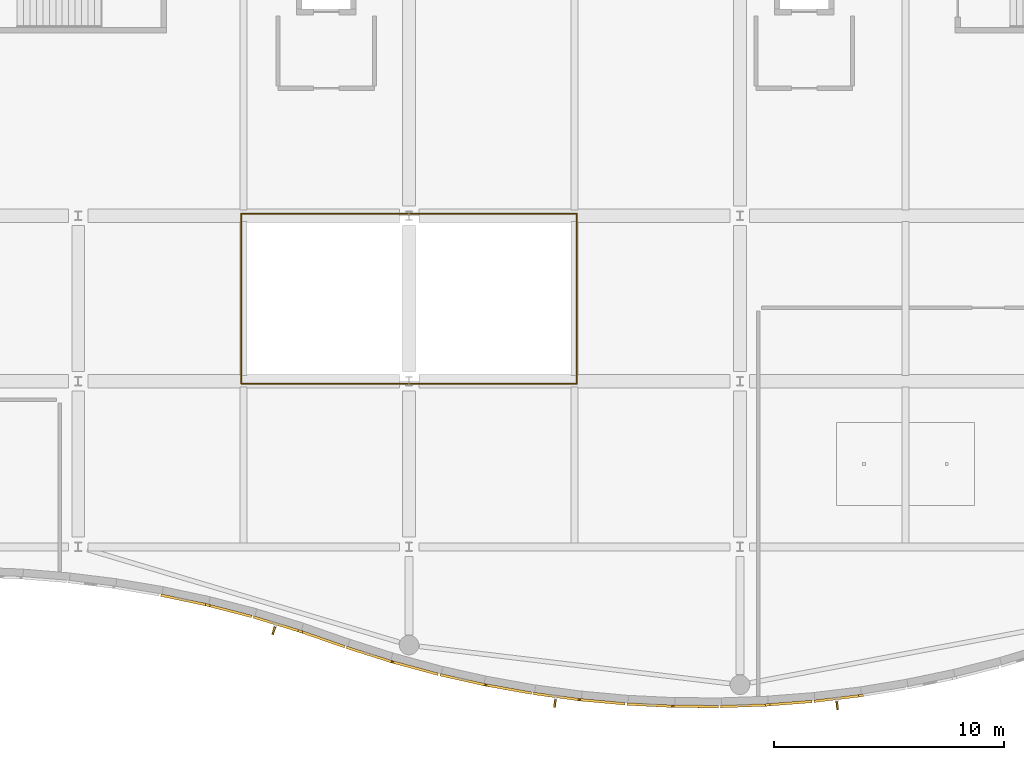
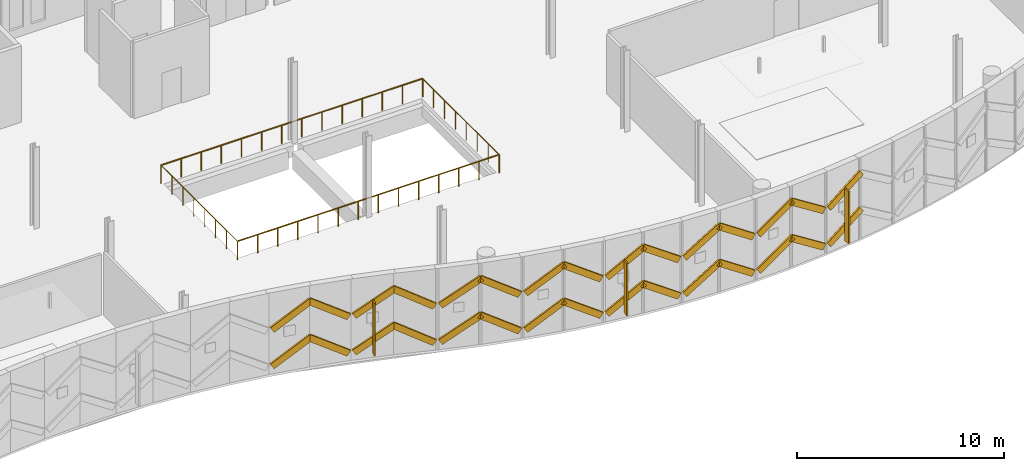
# One storey, part 195 of 220: 30 coverings, 4 railings, 3 shading devices.
"""IFC4 building model written with IfcOpenShell, lengths in metres."""

from ifc_helpers import new_model, si_unit, direction, frame, origin, origin_2d, place, context, subcontext, project, spatial, polyline, rectangle, circle, outline, extrude, material, layer, layer_set, type_object, element, save


model = new_model("IFC4")

# Units and contexts
model_context = context("Model", 3, precision=1e-05, world=origin(), true_north=direction((0.0, 1.0)))
body_context = subcontext(model_context, "Body", "Model", "MODEL_VIEW")
ifc_project = project(units=[si_unit("LENGTHUNIT", "METRE"), si_unit("AREAUNIT", "SQUARE_METRE"), si_unit("VOLUMEUNIT", "CUBIC_METRE"), si_unit("PLANEANGLEUNIT", "RADIAN"), si_unit("MASSUNIT", "GRAM", prefix="KILO")], contexts=[model_context])

# Site, building, storey
site_placement = place(None, origin())
site = spatial("IfcSite", under=ifc_project, at=site_placement, CompositionType="ELEMENT")
building_placement = place(site_placement, origin())
building = spatial("IfcBuilding", under=site, at=building_placement, Name="Cendralis Lancet Convention Centre", CompositionType="ELEMENT")
storey_placement = place(building_placement, frame((0.0, 0.0, 5.39990234375)))
storey = spatial("IfcBuildingStorey", under=building, at=storey_placement, Name="L01", CompositionType="ELEMENT", Elevation=5.39990234375)

# Coverings
ifc_material_1 = material(Name="Warm buff sandstone chevron cassette", Category="masonry")
ifc_layer_1 = layer(ifc_material_1, 0.06005859375, Name="Warm buff sandstone chevron cassette")
ifc_layer_set_1 = layer_set([ifc_layer_1], Name="Warm buff sandstone chevron cassette")
covering_type_1 = type_object("IfcCoveringType", Name="ARC-CV-CLAD1", PredefinedType="CLADDING", material=ifc_layer_set_1)
covering_1_placement = place(storey_placement, frame((32.38818359375, 5.04248046875, 0.650146484375), z_axis=(-0.535020732158, 0.113434100809, 0.837189059254), x_axis=(0.818930256898, -0.173892999751, 0.546913575416)))
element("IfcCovering", 1, at=covering_1_placement, inside=storey, type_object=covering_type_1, Name="L01 Diagonal Stone Chevron Relief CL-ST1 #0097", PredefinedType="CLADDING", context=body_context, shape_type="SweptSolid", body=[
    extrude(outline(polyline([(0.0, 0.0), (2.3769644960736502, 1.3002294553532412e-16), (2.3770359392519813, 0.11008464103704459), (-0.0001284909664191619, 0.1100339525686559), (0.0, 0.0)])), origin(), (0.0, 0.0, -1.0), 0.360107421875),
])
covering_2_placement = place(storey_placement, frame((34.401611328125, 4.61328125, 1.9501953125), z_axis=(0.525708737649, -0.135336917587, 0.839829888667), x_axis=(0.813251866654, -0.209608349465, -0.542849648814)))
element("IfcCovering", 2, at=covering_2_placement, inside=storey, type_object=covering_type_1, Name="L01 Diagonal Stone Chevron Relief CL-ST1 #0103", PredefinedType="CLADDING", context=body_context, shape_type="SweptSolid", body=[
    extrude(outline(polyline([(0.0, 0.0), (2.394760568051212, -1.2468324983583301e-17), (2.3948334714241444, 0.1101985557260967), (-0.00012564444607509814, 0.11013764191872884), (0.0, 0.0)])), origin(), (0.0, 0.0, -1.0), 0.360107421875),
])
covering_3_placement = place(storey_placement, frame((36.414794921875, 4.093017578125, 0.650146484375), z_axis=(-0.514317451293, 0.157700124438, 0.842975818186), x_axis=(0.806255903693, -0.246089379247, 0.53795114572)))
element("IfcCovering", 3, at=covering_3_placement, inside=storey, type_object=covering_type_1, Name="L01 Diagonal Stone Chevron Relief CL-ST1 #0109", PredefinedType="CLADDING", context=body_context, shape_type="SweptSolid", body=[
    extrude(outline(polyline([(0.0, 0.0), (2.416697252485655, 7.752045533271357e-17), (2.4167854499543617, 0.11004890548893434), (0.00014827788356162538, 0.10981542602304782), (0.0, 0.0)])), origin(), (0.0, 0.0, -1.0), 0.360107421875),
])
covering_4_placement = place(storey_placement, frame((38.4296875, 3.4765625, 1.9501953125), z_axis=(0.503224682855, -0.175034672297, 0.846243335016), x_axis=(0.799360481452, -0.277760008608, -0.532796582488)))
element("IfcCovering", 4, at=covering_4_placement, inside=storey, type_object=covering_type_1, Name="L01 Diagonal Stone Chevron Relief CL-ST1 #0115", PredefinedType="CLADDING", context=body_context, shape_type="SweptSolid", body=[
    extrude(outline(polyline([(0.0, 0.0), (2.4400132988194647, 7.451179430406629e-17), (2.440076127822473, 0.10987112768012615), (-4.9834990936172e-06, 0.11010173555877661), (0.0, 0.0)])), origin(), (0.0, 0.0, -1.0), 0.360107421875),
])
covering_5_placement = place(storey_placement, frame((40.462890625, 2.771240234375, 0.650146484375), z_axis=(-0.511337774202, 0.162508978297, 0.843874701983), x_axis=(0.804316544098, -0.255341790384, 0.536540275257)))
element("IfcCovering", 5, at=covering_5_placement, inside=storey, type_object=covering_type_1, Name="L01 Diagonal Stone Chevron Relief CL-ST1 #0121", PredefinedType="CLADDING", context=body_context, shape_type="SweptSolid", body=[
    extrude(outline(polyline([(0.0, 0.0), (2.4228925091726596, -6.483528991463317e-17), (2.423051136728038, 0.10994719677205798), (-0.00010007809268892942, 0.11010599232988509), (0.0, 0.0)])), origin(), (0.0, 0.0, -1.0), 0.360107421875),
])
covering_6_placement = place(storey_placement, frame((42.49951171875, 2.126708984375, 1.9501953125), z_axis=(0.522763146144, -0.141807014356, 0.840600656503), x_axis=(0.811516389354, -0.219205041246, -0.541655148321)))
element("IfcCovering", 6, at=covering_6_placement, inside=storey, type_object=covering_type_1, Name="L01 Diagonal Stone Chevron Relief CL-ST1 #0127", PredefinedType="CLADDING", context=body_context, shape_type="SweptSolid", body=[
    extrude(outline(polyline([(0.0, 0.0), (2.400141182362894, 1.1741909528018013e-16), (2.4002399960840637, 0.11003914856688213), (9.881372116942941e-05, 0.11003914856688203), (0.0, 0.0)])), origin(), (0.0, 0.0, -1.0), 0.360107421875),
])
covering_7_placement = place(storey_placement, frame((44.5361328125, 1.57861328125, 0.650146484375), z_axis=(-0.53277069084, 0.1192679842, 0.837812949844), x_axis=(0.817605654926, -0.182897613704, 0.545957375565)))
element("IfcCovering", 7, at=covering_7_placement, inside=storey, type_object=covering_type_1, Name="L01 Diagonal Stone Chevron Relief CL-ST1 #0133", PredefinedType="CLADDING", context=body_context, shape_type="SweptSolid", body=[
    extrude(outline(polyline([(0.0, 0.0), (2.381327506291326, 4.4398078963281407e-17), (2.3812421557427212, 0.11005403546716523), (0.00011426020699233097, 0.11010734338340043), (0.0, 0.0)])), origin(), (0.0, 0.0, -1.0), 0.360107421875),
])
covering_8_placement = place(storey_placement, frame((46.572509765625, 1.125, 1.9501953125), z_axis=(0.54056984963, -0.096791223076, 0.835712687953), x_axis=(0.822617547187, -0.147363731386, -0.549166916094)))
element("IfcCovering", 8, at=covering_8_placement, inside=storey, type_object=covering_type_1, Name="L01 Diagonal Stone Chevron Relief CL-ST1 #0139", PredefinedType="CLADDING", context=body_context, shape_type="SweptSolid", body=[
    extrude(outline(polyline([(0.0, 0.0), (2.367411321841086, 1.9081958235744878e-17), (2.3673032382210972, 0.11010085287617681), (9.275074211759562e-05, 0.11014389688924925), (0.0, 0.0)])), origin(), (0.0, 0.0, -1.0), 0.360107421875),
])
covering_9_placement = place(storey_placement, frame((48.610107421875, 0.761962890625, 0.650146484375), z_axis=(-0.547108722041, 0.074132312841, 0.833772418865), x_axis=(0.826303815869, -0.111348835484, 0.552108178454)))
element("IfcCovering", 9, at=covering_9_placement, inside=storey, type_object=covering_type_1, Name="L01 Diagonal Stone Chevron Relief CL-ST1 #0145", PredefinedType="CLADDING", context=body_context, shape_type="SweptSolid", body=[
    extrude(outline(polyline([(0.0, 0.0), (2.354786648451563, 3.8272336688738307e-17), (2.354766298921833, 0.10986760438700886), (0.0001542000260283012, 0.11014220916614062), (0.0, 0.0)])), origin(), (0.0, 0.0, -1.0), 0.360107421875),
])
covering_10_placement = place(storey_placement, frame((50.646484375, 0.489501953125, 1.9501953125), z_axis=(0.551705119851, -0.050434581748, 0.832512951067), x_axis=(0.828984080872, -0.076572825367, -0.554005411594)))
element("IfcCovering", 10, at=covering_10_placement, inside=storey, type_object=covering_type_1, Name="L01 Diagonal Stone Chevron Relief CL-ST1 #0151", PredefinedType="CLADDING", context=body_context, shape_type="SweptSolid", body=[
    extrude(outline(polyline([(0.0, 0.0), (2.3466263604979347, -4.0766001685454967e-17), (2.3465491440798187, 0.10983205375749333), (-9.591095555894387e-05, 0.11007516596588111), (0.0, 0.0)])), origin(), (0.0, 0.0, -1.0), 0.360107421875),
])
covering_11_placement = place(storey_placement, frame((52.6826171875, 0.30322265625, 0.650146484375), z_axis=(-0.5544874279, 0.028340468537, 0.831709390439), x_axis=(0.830678916319, -0.041393188123, 0.555210898632)))
element("IfcCovering", 11, at=covering_11_placement, inside=storey, type_object=covering_type_1, Name="L01 Diagonal Stone Chevron Relief CL-ST1 #0157", PredefinedType="CLADDING", context=body_context, shape_type="SweptSolid", body=[
    extrude(outline(polyline([(0.0, 0.0), (2.3415405413123525, -4.553649124439119e-18), (2.3416574066492264, 0.11000662601223539), (0.0001168653368736677, 0.11000662601223538), (0.0, 0.0)])), origin(), (0.0, 0.0, -1.0), 0.360107421875),
])
covering_12_placement = place(storey_placement, frame((54.71923828125, 0.20361328125, 1.9501953125), z_axis=(0.555693929595, -0.00308034329, 0.831381241126), x_axis=(0.8313616682, -0.00573930794, -0.55570211174)))
element("IfcCovering", 12, at=covering_12_placement, inside=storey, type_object=covering_type_1, Name="L01 Diagonal Stone Chevron Relief CL-ST1 #0163", PredefinedType="CLADDING", context=body_context, shape_type="SweptSolid", body=[
    extrude(outline(polyline([(0.0, 0.0), (2.339572221069478, 2.710505431213761e-18), (2.3393462189834446, 0.11010825169886358), (-2.3032928758005377e-05, 0.1101098345372985), (0.0, 0.0)])), origin(), (0.0, 0.0, -1.0), 0.360107421875),
])
covering_13_placement = place(storey_placement, frame((56.755126953125, 0.19140625, 0.650146484375), z_axis=(-0.554912688637, -0.019092445447, 0.831689477219), x_axis=(0.831191364084, 0.028780427724, 0.555241031672)))
element("IfcCovering", 13, at=covering_13_placement, inside=storey, type_object=covering_type_1, Name="L01 Diagonal Stone Chevron Relief CL-ST1 #0169", PredefinedType="CLADDING", context=body_context, shape_type="SweptSolid", body=[
    extrude(outline(polyline([(0.0, 0.0), (2.3413154918991372, -5.149960319306146e-18), (2.341433490437849, 0.10992421666886182), (-7.790256879810402e-05, 0.11017664359581143), (0.0, 0.0)])), origin(), (0.0, 0.0, -1.0), 0.360107421875),
])
covering_14_placement = place(storey_placement, frame((58.792236328125, 0.263916015625, 1.9501953125), z_axis=(0.552825193086, 0.043093277857, 0.832182236829), x_axis=(0.829722549391, 0.06393695348, -0.554502080259)))
element("IfcCovering", 14, at=covering_14_placement, inside=storey, type_object=covering_type_1, Name="L01 Diagonal Stone Chevron Relief CL-ST1 #0175", PredefinedType="CLADDING", context=body_context, shape_type="SweptSolid", body=[
    extrude(outline(polyline([(0.0, 0.0), (2.3445337256749323, -3.686287386450715e-18), (2.344452525207083, 0.1099516488630225), (-8.120046784901476e-05, 0.10995164886302251), (0.0, 0.0)])), origin(), (0.0, 0.0, -1.0), 0.360107421875),
])
covering_15_placement = place(storey_placement, frame((60.828369140625, 0.422607421875, 0.650146484375), z_axis=(-0.548851821664, -0.066156246361, 0.833297683258), x_axis=(0.827316196312, 0.099664142108, 0.552824538256)))
element("IfcCovering", 15, at=covering_15_placement, inside=storey, type_object=covering_type_1, Name="L01 Diagonal Stone Chevron Relief CL-ST1 #0181", PredefinedType="CLADDING", context=body_context, shape_type="SweptSolid", body=[
    extrude(outline(polyline([(0.0, 0.0), (2.3516481960561664, -4.063725267747231e-17), (2.351641960964268, 0.11016668157972566), (-6.235091898242756e-06, 0.11016668157972569), (0.0, 0.0)])), origin(), (0.0, 0.0, -1.0), 0.360107421875),
])
ifc_material_2 = material(Name="Dark Andean slate chevron cassette", Category="masonry")
ifc_layer_2 = layer(ifc_material_2, 0.06005859375, Name="Dark Andean slate chevron cassette")
ifc_layer_set_2 = layer_set([ifc_layer_2], Name="Dark Andean slate chevron cassette")
covering_type_2 = type_object("IfcCoveringType", Name="ARC-CV-CLAD2", PredefinedType="CLADDING", material=ifc_layer_set_2)
covering_16_placement = place(storey_placement, frame((32.38818359375, 5.04248046875, 2.800048828125), z_axis=(-0.535020732158, 0.113434100809, 0.837189059254), x_axis=(0.818930256898, -0.173892999751, 0.546913575416)))
element("IfcCovering", 16, at=covering_16_placement, inside=storey, type_object=covering_type_2, Name="L01 Diagonal Stone Chevron Relief CL-ST2 #0098", PredefinedType="CLADDING", context=body_context, shape_type="SweptSolid", body=[
    extrude(outline(polyline([(0.0, 0.0), (2.3769644960736502, 1.3002294553532412e-16), (2.3770359392519813, 0.11008464103704459), (-0.0001284909664191619, 0.1100339525686559), (0.0, 0.0)])), origin(), (0.0, 0.0, -1.0), 0.360107421875),
])
covering_17_placement = place(storey_placement, frame((34.401611328125, 4.61328125, 4.10009765625), z_axis=(0.525708737649, -0.135336917587, 0.839829888667), x_axis=(0.813251866654, -0.209608349465, -0.542849648814)))
element("IfcCovering", 17, at=covering_17_placement, inside=storey, type_object=covering_type_2, Name="L01 Diagonal Stone Chevron Relief CL-ST2 #0104", PredefinedType="CLADDING", context=body_context, shape_type="SweptSolid", body=[
    extrude(outline(polyline([(0.0, 0.0), (2.394760568051212, -1.2468324983583301e-17), (2.3948334714241444, 0.1101985557260967), (-0.00012564444607509814, 0.11013764191872884), (0.0, 0.0)])), origin(), (0.0, 0.0, -1.0), 0.360107421875),
])
covering_18_placement = place(storey_placement, frame((36.414794921875, 4.093017578125, 2.800048828125), z_axis=(-0.514317451293, 0.157700124438, 0.842975818186), x_axis=(0.806255903693, -0.246089379247, 0.53795114572)))
element("IfcCovering", 18, at=covering_18_placement, inside=storey, type_object=covering_type_2, Name="L01 Diagonal Stone Chevron Relief CL-ST2 #0110", PredefinedType="CLADDING", context=body_context, shape_type="SweptSolid", body=[
    extrude(outline(polyline([(0.0, 0.0), (2.416697252485655, 7.752045533271357e-17), (2.4167854499543617, 0.11004890548893434), (0.00014827788356162538, 0.10981542602304782), (0.0, 0.0)])), origin(), (0.0, 0.0, -1.0), 0.360107421875),
])
covering_19_placement = place(storey_placement, frame((38.4296875, 3.4765625, 4.10009765625), z_axis=(0.503224682855, -0.175034672297, 0.846243335016), x_axis=(0.799360481452, -0.277760008608, -0.532796582488)))
element("IfcCovering", 19, at=covering_19_placement, inside=storey, type_object=covering_type_2, Name="L01 Diagonal Stone Chevron Relief CL-ST2 #0116", PredefinedType="CLADDING", context=body_context, shape_type="SweptSolid", body=[
    extrude(outline(polyline([(0.0, 0.0), (2.4400132988194647, 7.451179430406629e-17), (2.440076127822473, 0.10987112768012615), (-4.9834990936172e-06, 0.11010173555877661), (0.0, 0.0)])), origin(), (0.0, 0.0, -1.0), 0.360107421875),
])
covering_20_placement = place(storey_placement, frame((40.462890625, 2.771240234375, 2.800048828125), z_axis=(-0.511337774202, 0.162508978297, 0.843874701983), x_axis=(0.804316544098, -0.255341790384, 0.536540275257)))
element("IfcCovering", 20, at=covering_20_placement, inside=storey, type_object=covering_type_2, Name="L01 Diagonal Stone Chevron Relief CL-ST2 #0122", PredefinedType="CLADDING", context=body_context, shape_type="SweptSolid", body=[
    extrude(outline(polyline([(0.0, 0.0), (2.4228925091726596, -6.483528991463317e-17), (2.423051136728038, 0.10994719677205798), (-0.00010007809268892942, 0.11010599232988509), (0.0, 0.0)])), origin(), (0.0, 0.0, -1.0), 0.360107421875),
])
covering_21_placement = place(storey_placement, frame((42.49951171875, 2.126708984375, 4.10009765625), z_axis=(0.522763146144, -0.141807014356, 0.840600656503), x_axis=(0.811516389354, -0.219205041246, -0.541655148321)))
element("IfcCovering", 21, at=covering_21_placement, inside=storey, type_object=covering_type_2, Name="L01 Diagonal Stone Chevron Relief CL-ST2 #0128", PredefinedType="CLADDING", context=body_context, shape_type="SweptSolid", body=[
    extrude(outline(polyline([(0.0, 0.0), (2.400141182362894, 1.1741909528018013e-16), (2.4002399960840637, 0.11003914856688213), (9.881372116942941e-05, 0.11003914856688203), (0.0, 0.0)])), origin(), (0.0, 0.0, -1.0), 0.360107421875),
])
covering_22_placement = place(storey_placement, frame((44.5361328125, 1.57861328125, 2.800048828125), z_axis=(-0.53277069084, 0.1192679842, 0.837812949844), x_axis=(0.817605654926, -0.182897613704, 0.545957375565)))
element("IfcCovering", 22, at=covering_22_placement, inside=storey, type_object=covering_type_2, Name="L01 Diagonal Stone Chevron Relief CL-ST2 #0134", PredefinedType="CLADDING", context=body_context, shape_type="SweptSolid", body=[
    extrude(outline(polyline([(0.0, 0.0), (2.381327506291326, 4.4398078963281407e-17), (2.3812421557427212, 0.11005403546716523), (0.00011426020699233097, 0.11010734338340043), (0.0, 0.0)])), origin(), (0.0, 0.0, -1.0), 0.360107421875),
])
covering_23_placement = place(storey_placement, frame((46.572509765625, 1.125, 4.10009765625), z_axis=(0.54056984963, -0.096791223076, 0.835712687953), x_axis=(0.822617547187, -0.147363731386, -0.549166916094)))
element("IfcCovering", 23, at=covering_23_placement, inside=storey, type_object=covering_type_2, Name="L01 Diagonal Stone Chevron Relief CL-ST2 #0140", PredefinedType="CLADDING", context=body_context, shape_type="SweptSolid", body=[
    extrude(outline(polyline([(0.0, 0.0), (2.367411321841086, 1.9081958235744878e-17), (2.3673032382210972, 0.11010085287617681), (9.275074211759562e-05, 0.11014389688924925), (0.0, 0.0)])), origin(), (0.0, 0.0, -1.0), 0.360107421875),
])
covering_24_placement = place(storey_placement, frame((48.610107421875, 0.761962890625, 2.800048828125), z_axis=(-0.547108722041, 0.074132312841, 0.833772418865), x_axis=(0.826303815869, -0.111348835484, 0.552108178454)))
element("IfcCovering", 24, at=covering_24_placement, inside=storey, type_object=covering_type_2, Name="L01 Diagonal Stone Chevron Relief CL-ST2 #0146", PredefinedType="CLADDING", context=body_context, shape_type="SweptSolid", body=[
    extrude(outline(polyline([(0.0, 0.0), (2.354786648451563, 3.8272336688738307e-17), (2.354766298921833, 0.10986760438700886), (0.0001542000260283012, 0.11014220916614062), (0.0, 0.0)])), origin(), (0.0, 0.0, -1.0), 0.360107421875),
])
covering_25_placement = place(storey_placement, frame((50.646484375, 0.489501953125, 4.10009765625), z_axis=(0.551705119851, -0.050434581748, 0.832512951067), x_axis=(0.828984080872, -0.076572825367, -0.554005411594)))
element("IfcCovering", 25, at=covering_25_placement, inside=storey, type_object=covering_type_2, Name="L01 Diagonal Stone Chevron Relief CL-ST2 #0152", PredefinedType="CLADDING", context=body_context, shape_type="SweptSolid", body=[
    extrude(outline(polyline([(0.0, 0.0), (2.3466263604979347, -4.0766001685454967e-17), (2.3465491440798187, 0.10983205375749333), (-9.591095555894387e-05, 0.11007516596588111), (0.0, 0.0)])), origin(), (0.0, 0.0, -1.0), 0.360107421875),
])
covering_26_placement = place(storey_placement, frame((52.6826171875, 0.30322265625, 2.800048828125), z_axis=(-0.5544874279, 0.028340468537, 0.831709390439), x_axis=(0.830678916319, -0.041393188123, 0.555210898632)))
element("IfcCovering", 26, at=covering_26_placement, inside=storey, type_object=covering_type_2, Name="L01 Diagonal Stone Chevron Relief CL-ST2 #0158", PredefinedType="CLADDING", context=body_context, shape_type="SweptSolid", body=[
    extrude(outline(polyline([(0.0, 0.0), (2.3415405413123525, -4.553649124439119e-18), (2.3416574066492264, 0.11000662601223539), (0.0001168653368736677, 0.11000662601223538), (0.0, 0.0)])), origin(), (0.0, 0.0, -1.0), 0.360107421875),
])
covering_27_placement = place(storey_placement, frame((54.71923828125, 0.20361328125, 4.10009765625), z_axis=(0.555693929595, -0.00308034329, 0.831381241126), x_axis=(0.8313616682, -0.00573930794, -0.55570211174)))
element("IfcCovering", 27, at=covering_27_placement, inside=storey, type_object=covering_type_2, Name="L01 Diagonal Stone Chevron Relief CL-ST2 #0164", PredefinedType="CLADDING", context=body_context, shape_type="SweptSolid", body=[
    extrude(outline(polyline([(0.0, 0.0), (2.339572221069478, 2.710505431213761e-18), (2.3393462189834446, 0.11010825169886358), (-2.3032928758005377e-05, 0.1101098345372985), (0.0, 0.0)])), origin(), (0.0, 0.0, -1.0), 0.360107421875),
])
covering_28_placement = place(storey_placement, frame((56.755126953125, 0.19140625, 2.800048828125), z_axis=(-0.554912688637, -0.019092445447, 0.831689477219), x_axis=(0.831191364084, 0.028780427724, 0.555241031672)))
element("IfcCovering", 28, at=covering_28_placement, inside=storey, type_object=covering_type_2, Name="L01 Diagonal Stone Chevron Relief CL-ST2 #0170", PredefinedType="CLADDING", context=body_context, shape_type="SweptSolid", body=[
    extrude(outline(polyline([(0.0, 0.0), (2.3413154918991372, -5.149960319306146e-18), (2.341433490437849, 0.10992421666886182), (-7.790256879810402e-05, 0.11017664359581143), (0.0, 0.0)])), origin(), (0.0, 0.0, -1.0), 0.360107421875),
])
covering_29_placement = place(storey_placement, frame((58.792236328125, 0.263916015625, 4.10009765625), z_axis=(0.552825193086, 0.043093277857, 0.832182236829), x_axis=(0.829722549391, 0.06393695348, -0.554502080259)))
element("IfcCovering", 29, at=covering_29_placement, inside=storey, type_object=covering_type_2, Name="L01 Diagonal Stone Chevron Relief CL-ST2 #0176", PredefinedType="CLADDING", context=body_context, shape_type="SweptSolid", body=[
    extrude(outline(polyline([(0.0, 0.0), (2.3445337256749323, -3.686287386450715e-18), (2.344452525207083, 0.1099516488630225), (-8.120046784901476e-05, 0.10995164886302251), (0.0, 0.0)])), origin(), (0.0, 0.0, -1.0), 0.360107421875),
])
covering_30_placement = place(storey_placement, frame((60.828369140625, 0.422607421875, 2.800048828125), z_axis=(-0.548851821664, -0.066156246361, 0.833297683258), x_axis=(0.827316196312, 0.099664142108, 0.552824538256)))
element("IfcCovering", 30, at=covering_30_placement, inside=storey, type_object=covering_type_2, Name="L01 Diagonal Stone Chevron Relief CL-ST2 #0182", PredefinedType="CLADDING", context=body_context, shape_type="SweptSolid", body=[
    extrude(outline(polyline([(0.0, 0.0), (2.3516481960561664, -4.063725267747231e-17), (2.351641960964268, 0.11016668157972566), (-6.235091898242756e-06, 0.11016668157972569), (0.0, 0.0)])), origin(), (0.0, 0.0, -1.0), 0.360107421875),
])

# Railings
ifc_material_3 = material(Name="Steel S355", Category="steel")
railing_type = type_object("IfcRailingType", Name="ARC-RL-IG01", PredefinedType="GUARDRAIL", material=ifc_material_3)
railing_1_placement = place(storey_placement, frame((35.89990234375, 14.300048828125, 0.0)))
element("IfcRailing", 31, at=railing_1_placement, inside=storey, type_object=railing_type, Name="L01 Atrium Void Guardrail GD-IN1 #017", PredefinedType="GUARDRAIL", context=body_context, shape_type="SweptSolid", body=[
    extrude(circle(Radius=0.02392578125, at=origin_2d()), frame((0.0, 0.0, 1.076171875), z_axis=(1.0, 0.0, 0.0), x_axis=(0.0, 1.0, 0.0)), (0.0, 0.0, 1.0), 14.60009765625),
    extrude(circle(Radius=0.02099609375, at=origin_2d()), origin(), (0.0, 0.0, 1.0), 1.052001953125),
    extrude(circle(Radius=0.02099609375, at=origin_2d()), frame((1.123046875, 0.0, 0.0)), (0.0, 0.0, 1.0), 1.052001953125),
    extrude(circle(Radius=0.02099609375, at=origin_2d()), frame((2.24609375, 0.0, 0.0)), (0.0, 0.0, 1.0), 1.052001953125),
    extrude(circle(Radius=0.02099609375, at=origin_2d()), frame((3.369140625, 0.0, 0.0)), (0.0, 0.0, 1.0), 1.052001953125),
    extrude(circle(Radius=0.02099609375, at=origin_2d()), frame((4.492431640625, 0.0, 0.0)), (0.0, 0.0, 1.0), 1.052001953125),
    extrude(circle(Radius=0.02099609375, at=origin_2d()), frame((5.615478515625, 0.0, 0.0)), (0.0, 0.0, 1.0), 1.052001953125),
    extrude(circle(Radius=0.02099609375, at=origin_2d()), frame((6.738525390625, 0.0, 0.0)), (0.0, 0.0, 1.0), 1.052001953125),
    extrude(circle(Radius=0.02099609375, at=origin_2d()), frame((7.861572265625, 0.0, 0.0)), (0.0, 0.0, 1.0), 1.052001953125),
    extrude(circle(Radius=0.02099609375, at=origin_2d()), frame((8.984619140625, 0.0, 0.0)), (0.0, 0.0, 1.0), 1.052001953125),
    extrude(circle(Radius=0.02099609375, at=origin_2d()), frame((10.107666015625, 0.0, 0.0)), (0.0, 0.0, 1.0), 1.052001953125),
    extrude(circle(Radius=0.02099609375, at=origin_2d()), frame((11.23095703125, 0.0, 0.0)), (0.0, 0.0, 1.0), 1.052001953125),
    extrude(circle(Radius=0.02099609375, at=origin_2d()), frame((12.35400390625, 0.0, 0.0)), (0.0, 0.0, 1.0), 1.052001953125),
    extrude(circle(Radius=0.02099609375, at=origin_2d()), frame((13.47705078125, 0.0, 0.0)), (0.0, 0.0, 1.0), 1.052001953125),
    extrude(circle(Radius=0.02099609375, at=origin_2d()), frame((14.60009765625, 0.0, 0.0)), (0.0, 0.0, 1.0), 1.052001953125),
])
railing_2_placement = place(storey_placement, frame((50.5, 14.300048828125, 0.0)))
element("IfcRailing", 32, at=railing_2_placement, inside=storey, type_object=railing_type, Name="L01 Atrium Void Guardrail GD-IN1 #018", PredefinedType="GUARDRAIL", context=body_context, shape_type="SweptSolid", body=[
    extrude(circle(Radius=0.02392578125, at=origin_2d()), frame((0.0, 0.0, 1.076171875), z_axis=(0.0, 1.0, 0.0), x_axis=(-1.0, 0.0, 0.0)), (0.0, 0.0, 1.0), 7.39990234375),
    extrude(circle(Radius=0.02099609375, at=origin_2d()), origin(), (0.0, 0.0, 1.0), 1.052001953125),
    extrude(circle(Radius=0.02099609375, at=origin_2d()), frame((0.0, 1.05712890625, 0.0)), (0.0, 0.0, 1.0), 1.052001953125),
    extrude(circle(Radius=0.02099609375, at=origin_2d()), frame((0.0, 2.1142578125, 0.0)), (0.0, 0.0, 1.0), 1.052001953125),
    extrude(circle(Radius=0.02099609375, at=origin_2d()), frame((0.0, 3.17138671875, 0.0)), (0.0, 0.0, 1.0), 1.052001953125),
    extrude(circle(Radius=0.02099609375, at=origin_2d()), frame((0.0, 4.228515625, 0.0)), (0.0, 0.0, 1.0), 1.052001953125),
    extrude(circle(Radius=0.02099609375, at=origin_2d()), frame((0.0, 5.28564453125, 0.0)), (0.0, 0.0, 1.0), 1.052001953125),
    extrude(circle(Radius=0.02099609375, at=origin_2d()), frame((0.0, 6.3427734375, 0.0)), (0.0, 0.0, 1.0), 1.052001953125),
    extrude(circle(Radius=0.02099609375, at=origin_2d()), frame((0.0, 7.39990234375, 0.0)), (0.0, 0.0, 1.0), 1.052001953125),
])
railing_3_placement = place(storey_placement, frame((50.5, 21.699951171875, 0.0)))
element("IfcRailing", 33, at=railing_3_placement, inside=storey, type_object=railing_type, Name="L01 Atrium Void Guardrail GD-IN1 #019", PredefinedType="GUARDRAIL", context=body_context, shape_type="SweptSolid", body=[
    extrude(circle(Radius=0.02392578125, at=origin_2d()), frame((0.0, 0.0, 1.076171875), z_axis=(-1.0, 0.0, 0.0), x_axis=(0.0, -1.0, 0.0)), (0.0, 0.0, 1.0), 14.60009765625),
    extrude(circle(Radius=0.02099609375, at=origin_2d()), origin(), (0.0, 0.0, 1.0), 1.052001953125),
    extrude(circle(Radius=0.02099609375, at=origin_2d()), frame((-1.123046875, 0.0, 0.0)), (0.0, 0.0, 1.0), 1.052001953125),
    extrude(circle(Radius=0.02099609375, at=origin_2d()), frame((-2.24609375, 0.0, 0.0)), (0.0, 0.0, 1.0), 1.052001953125),
    extrude(circle(Radius=0.02099609375, at=origin_2d()), frame((-3.369140625, 0.0, 0.0)), (0.0, 0.0, 1.0), 1.052001953125),
    extrude(circle(Radius=0.02099609375, at=origin_2d()), frame((-4.492431640625, 0.0, 0.0)), (0.0, 0.0, 1.0), 1.052001953125),
    extrude(circle(Radius=0.02099609375, at=origin_2d()), frame((-5.615478515625, 0.0, 0.0)), (0.0, 0.0, 1.0), 1.052001953125),
    extrude(circle(Radius=0.02099609375, at=origin_2d()), frame((-6.738525390625, 0.0, 0.0)), (0.0, 0.0, 1.0), 1.052001953125),
    extrude(circle(Radius=0.02099609375, at=origin_2d()), frame((-7.861572265625, 0.0, 0.0)), (0.0, 0.0, 1.0), 1.052001953125),
    extrude(circle(Radius=0.02099609375, at=origin_2d()), frame((-8.984619140625, 0.0, 0.0)), (0.0, 0.0, 1.0), 1.052001953125),
    extrude(circle(Radius=0.02099609375, at=origin_2d()), frame((-10.107666015625, 0.0, 0.0)), (0.0, 0.0, 1.0), 1.052001953125),
    extrude(circle(Radius=0.02099609375, at=origin_2d()), frame((-11.23095703125, 0.0, 0.0)), (0.0, 0.0, 1.0), 1.052001953125),
    extrude(circle(Radius=0.02099609375, at=origin_2d()), frame((-12.35400390625, 0.0, 0.0)), (0.0, 0.0, 1.0), 1.052001953125),
    extrude(circle(Radius=0.02099609375, at=origin_2d()), frame((-13.47705078125, 0.0, 0.0)), (0.0, 0.0, 1.0), 1.052001953125),
    extrude(circle(Radius=0.02099609375, at=origin_2d()), frame((-14.60009765625, 0.0, 0.0)), (0.0, 0.0, 1.0), 1.052001953125),
])
railing_4_placement = place(storey_placement, frame((35.89990234375, 21.699951171875, 0.0)))
element("IfcRailing", 34, at=railing_4_placement, inside=storey, type_object=railing_type, Name="L01 Atrium Void Guardrail GD-IN1 #020", PredefinedType="GUARDRAIL", context=body_context, shape_type="SweptSolid", body=[
    extrude(circle(Radius=0.02392578125, at=origin_2d()), frame((0.0, 0.0, 1.076171875), z_axis=(0.0, -1.0, 0.0), x_axis=(1.0, 0.0, 0.0)), (0.0, 0.0, 1.0), 7.39990234375),
    extrude(circle(Radius=0.02099609375, at=origin_2d()), origin(), (0.0, 0.0, 1.0), 1.052001953125),
    extrude(circle(Radius=0.02099609375, at=origin_2d()), frame((0.0, -1.05712890625, 0.0)), (0.0, 0.0, 1.0), 1.052001953125),
    extrude(circle(Radius=0.02099609375, at=origin_2d()), frame((0.0, -2.1142578125, 0.0)), (0.0, 0.0, 1.0), 1.052001953125),
    extrude(circle(Radius=0.02099609375, at=origin_2d()), frame((0.0, -3.17138671875, 0.0)), (0.0, 0.0, 1.0), 1.052001953125),
    extrude(circle(Radius=0.02099609375, at=origin_2d()), frame((0.0, -4.228515625, 0.0)), (0.0, 0.0, 1.0), 1.052001953125),
    extrude(circle(Radius=0.02099609375, at=origin_2d()), frame((0.0, -5.28564453125, 0.0)), (0.0, 0.0, 1.0), 1.052001953125),
    extrude(circle(Radius=0.02099609375, at=origin_2d()), frame((0.0, -6.3427734375, 0.0)), (0.0, 0.0, 1.0), 1.052001953125),
    extrude(circle(Radius=0.02099609375, at=origin_2d()), frame((0.0, -7.39990234375, 0.0)), (0.0, 0.0, 1.0), 1.052001953125),
])

# Shading devices
ifc_material_4 = material(Name="Anodised bronze architectural aluminium", Category="aluminium")
shading_device_type = type_object("IfcShadingDeviceType", Name="ARC-SH-FIN1", PredefinedType="USERDEFINED", material=ifc_material_4)
for number, where, z_axis, x_axis, name in (
    (35, (37.314697265625, 3.551513671875, 0.449951171875), (0.0, 0.0, 1.0), (0.95645261608, -0.29188763796, 0.0), "Anodised Bronze Lancet Solar Fin SF-01 #007"),
    (36, (49.549072265625, 0.378173828125, 0.449951171875), (0.0, 0.0, 1.0), (0.991034573663, -0.133605665318, 0.0), "Anodised Bronze Lancet Solar Fin SF-01 #009"),
    (37, (61.831787109375, 0.28662109375, 0.449951171875), (0.0, 0.0, 1.0), (0.992818021481, 0.119634343823, 0.0), "Anodised Bronze Lancet Solar Fin SF-01 #011"),
):
    element("IfcShadingDevice", number, at=place(storey_placement, frame(where, z_axis=z_axis, x_axis=x_axis)), inside=storey, type_object=shading_device_type, Name=name, ObjectType="FIN", PredefinedType="USERDEFINED", context=body_context, shape_type="SweptSolid", body=[
        extrude(rectangle(XDim=0.080078125, YDim=0.340087890625, at=origin_2d()), origin(), (0.0, 0.0, 1.0), 3.10009765625),
    ])

save(model, "model.ifc")
